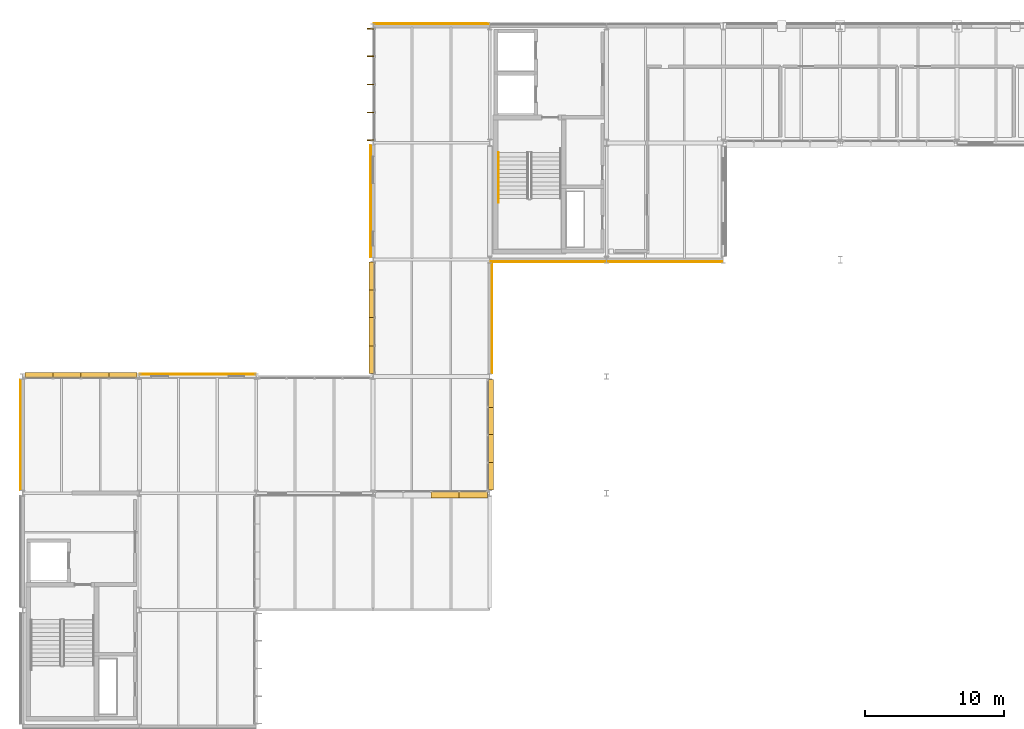
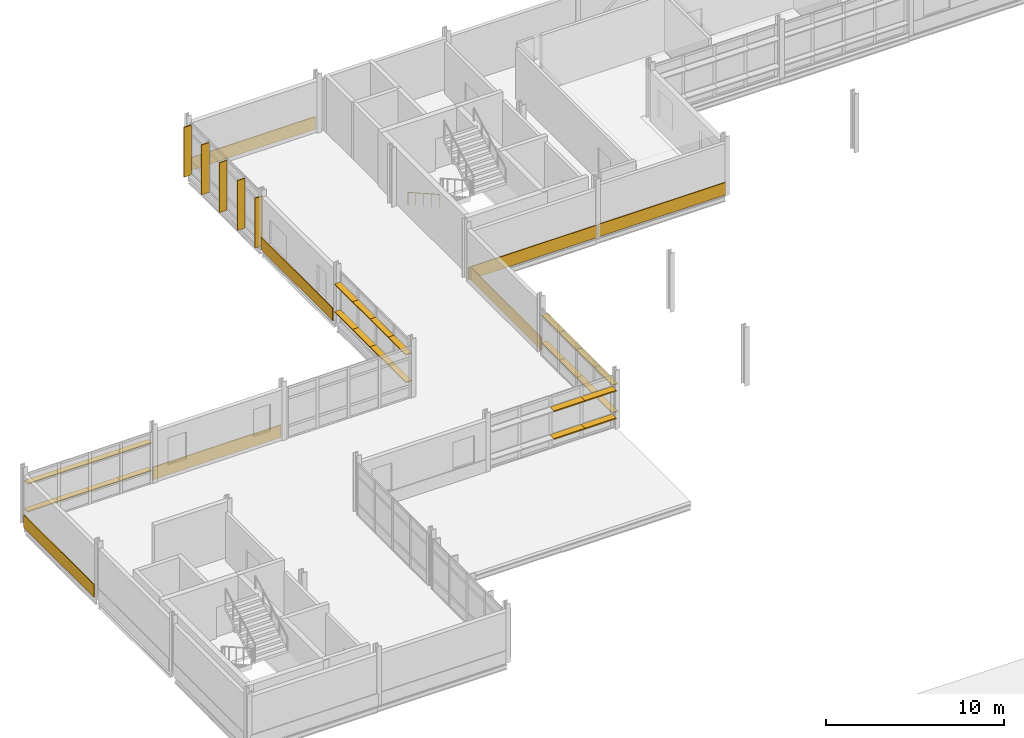
# One storey, part 140 of 151: 33 shading devices, 7 coverings, 1 railing.
"""IFC4 building model written with IfcOpenShell, lengths in metres."""

from ifc_helpers import new_model, si_unit, direction, frame, origin, origin_2d, place, context, subcontext, project, spatial, rectangle, circle, extrude, material, layer, layer_set, type_object, element, save


model = new_model("IFC4")

# Units and contexts
model_context = context("Model", 3, precision=1e-05, world=origin(), true_north=direction((0.0, 1.0)))
body_context = subcontext(model_context, "Body", "Model", "MODEL_VIEW")
ifc_project = project(units=[si_unit("LENGTHUNIT", "METRE"), si_unit("AREAUNIT", "SQUARE_METRE"), si_unit("VOLUMEUNIT", "CUBIC_METRE"), si_unit("PLANEANGLEUNIT", "RADIAN"), si_unit("MASSUNIT", "GRAM", prefix="KILO")], contexts=[model_context])

# Site, building, storey
site_placement = place(None, origin())
site = spatial("IfcSite", under=ifc_project, at=site_placement, CompositionType="ELEMENT")
building_placement = place(site_placement, origin())
building = spatial("IfcBuilding", under=site, at=building_placement, Name="Mersafa Astral City Hall", CompositionType="ELEMENT")
storey_placement = place(building_placement, frame((0.0, 0.0, 9.89990234375)))
storey = spatial("IfcBuildingStorey", under=building, at=storey_placement, Name="L02", CompositionType="ELEMENT", Elevation=9.89990234375)

# Coverings
ifc_material_1 = material(Name="Cairo Mokattam buff limestone cladding", Category="masonry")
ifc_layer = layer(ifc_material_1, 0.06005859375, Name="Cairo Mokattam buff limestone cladding")
ifc_layer_set = layer_set([ifc_layer], Name="Cairo Mokattam buff limestone cladding — ENV-COV-LIMESTONE-60")
covering_type = type_object("IfcCoveringType", Name="ENV-COV-LIMESTONE-60", PredefinedType="CLADDING", material=ifc_layer_set)
covering_1_placement = place(storey_placement, frame((37.800048828125, 126.177001953125, 0.0), z_axis=(0.0, 0.0, 1.0), x_axis=(-1.0, 0.0, 0.0)))
element("IfcCovering", 1, at=covering_1_placement, inside=storey, type_object=covering_type, Name="L02 Cairo buff limestone rainscreen cladding 191", PredefinedType="CLADDING", context=body_context, shape_type="SweptSolid", body=[
    extrude(rectangle(XDim=8.323974609375, YDim=0.06005859375, at=origin_2d()), origin(), (0.0, 0.0, 1.0), 0.860107421875),
])
covering_2_placement = place(storey_placement, frame((33.430419921875, 113.39990234375, 0.0), z_axis=(0.0, 0.0, 1.0), x_axis=(0.0, -1.0, 0.0)))
element("IfcCovering", 2, at=covering_2_placement, inside=storey, type_object=covering_type, Name="L02 Cairo buff limestone rainscreen cladding 192", PredefinedType="CLADDING", context=body_context, shape_type="SweptSolid", body=[
    extrude(rectangle(XDim=8.048095703125, YDim=0.06005859375, at=origin_2d()), origin(), (0.0, 0.0, 1.0), 0.860107421875),
])
covering_3_placement = place(storey_placement, frame((21.0, 100.9619140625, 0.0), z_axis=(0.0, 0.0, 1.0), x_axis=(-1.0, 0.0, 0.0)))
element("IfcCovering", 3, at=covering_3_placement, inside=storey, type_object=covering_type, Name="L02 Cairo buff limestone rainscreen cladding 193", PredefinedType="CLADDING", context=body_context, shape_type="SweptSolid", body=[
    extrude(rectangle(XDim=8.323974609375, YDim=0.06005859375, at=origin_2d()), origin(), (0.0, 0.0, 1.0), 0.860107421875),
])
covering_4_placement = place(storey_placement, frame((8.24560546875, 96.60009765625, 0.0), z_axis=(0.0, 0.0, 1.0), x_axis=(0.0, -1.0, 0.0)))
element("IfcCovering", 4, at=covering_4_placement, inside=storey, type_object=covering_type, Name="L02 Cairo buff limestone rainscreen cladding 194", PredefinedType="CLADDING", context=body_context, shape_type="SweptSolid", body=[
    extrude(rectangle(XDim=7.947998046875, YDim=0.06005859375, at=origin_2d()), origin(), (0.0, 0.0, 1.0), 0.860107421875),
])
covering_5_placement = place(storey_placement, frame((42.154541015625, 104.97509765625, 0.0), z_axis=(0.0, 0.0, 1.0), x_axis=(0.0, 1.0, 0.0)))
element("IfcCovering", 5, at=covering_5_placement, inside=storey, type_object=covering_type, Name="L02 Cairo buff limestone rainscreen cladding 200", PredefinedType="CLADDING", context=body_context, shape_type="SweptSolid", body=[
    extrude(rectangle(XDim=7.89794921875, YDim=0.06005859375, at=origin_2d()), origin(), (0.0, 0.0, 1.0), 0.860107421875),
])
for number, where, z_axis, x_axis, name in (
    (6, (46.199951171875, 109.052978515625, 0.0), (0.0, 0.0, 1.0), (1.0, 0.0, 0.0), "L02 Cairo buff limestone rainscreen cladding 201"),
    (7, (54.60009765625, 109.060546875, 0.0), (0.0, 0.0, 1.0), (1.0, 0.0, 0.0), "L02 Cairo buff limestone rainscreen cladding 202"),
):
    element("IfcCovering", number, at=place(storey_placement, frame(where, z_axis=z_axis, x_axis=x_axis)), inside=storey, type_object=covering_type, Name=name, PredefinedType="CLADDING", context=body_context, shape_type="SweptSolid", body=[
        extrude(rectangle(XDim=8.323974609375, YDim=0.06005859375, at=origin_2d()), origin(), (0.0, 0.0, 1.0), 0.860107421875),
    ])

# Shading devices
ifc_material_2 = material(Name="Anodised bronze aluminium solar fin", Category="aluminium")
shading_device_type_1 = type_object("IfcShadingDeviceType", Name="ENV-SHD-FIN-500A", PredefinedType="USERDEFINED", material=ifc_material_2)
for number, where, z_axis, x_axis, name in (
    (8, (33.455078125, 125.80810546875, -0.01513671875), (0.0, 0.0, 1.0), (0.0, -1.0, 0.0), "L02 Vertical bronze solar fin 826"),
    (9, (33.455078125, 123.819091796875, -0.01513671875), (0.0, 0.0, 1.0), (0.0, -1.0, 0.0), "L02 Vertical bronze solar fin 827"),
    (10, (33.455078125, 121.800048828125, -0.01513671875), (0.0, 0.0, 1.0), (0.0, -1.0, 0.0), "L02 Vertical bronze solar fin 828"),
    (11, (33.455078125, 119.781005859375, -0.01513671875), (0.0, 0.0, 1.0), (0.0, -1.0, 0.0), "L02 Vertical bronze solar fin 829"),
    (12, (33.455078125, 117.7919921875, -0.01513671875), (0.0, 0.0, 1.0), (0.0, -1.0, 0.0), "L02 Vertical bronze solar fin 830"),
):
    element("IfcShadingDevice", number, at=place(storey_placement, frame(where, z_axis=z_axis, x_axis=x_axis)), inside=storey, type_object=shading_device_type_1, Name=name, ObjectType="FIN", PredefinedType="USERDEFINED", context=body_context, shape_type="SweptSolid", body=[
        extrude(rectangle(XDim=0.06005859375, YDim=0.5, at=origin_2d()), origin(), (0.0, 0.0, 1.0), 3.422119140625),
    ])
ifc_material_3 = material(Name="Kiln-dried cedar timber brise-soleil blade", Category="wood")
shading_device_type_2 = type_object("IfcShadingDeviceType", Name="ENV-SHD-LOUVRE-380", PredefinedType="JALOUSIE", material=ifc_material_3)
shading_device_1_placement = place(storey_placement, frame((33.52001953125, 108.019775390625, 0.81494140625), z_axis=(0.0, 0.0, 1.0), x_axis=(0.0, -1.0, 0.0)))
element("IfcShadingDevice", 13, at=shading_device_1_placement, inside=storey, type_object=shading_device_type_2, Name="L02 Horizontal cedar brise-soleil louvre 831", PredefinedType="JALOUSIE", context=body_context, shape_type="SweptSolid", body=[
    extrude(rectangle(XDim=2.0166015625, YDim=0.3798828125, at=origin_2d()), origin(), (0.0, 0.0, 1.0), 0.070068359375),
])
for number, where, z_axis, x_axis, name in (
    (14, (33.52001953125, 106.0283203125, 0.81494140625), (0.0, 0.0, 1.0), (0.0, -1.0, 0.0), "L02 Horizontal cedar brise-soleil louvre 832"),
    (15, (33.52001953125, 104.021728515625, 0.81494140625), (0.0, 0.0, 1.0), (0.0, -1.0, 0.0), "L02 Horizontal cedar brise-soleil louvre 833"),
):
    element("IfcShadingDevice", number, at=place(storey_placement, frame(where, z_axis=z_axis, x_axis=x_axis)), inside=storey, type_object=shading_device_type_2, Name=name, PredefinedType="JALOUSIE", context=body_context, shape_type="SweptSolid", body=[
        extrude(rectangle(XDim=2.04638671875, YDim=0.3798828125, at=origin_2d()), origin(), (0.0, 0.0, 1.0), 0.070068359375),
    ])
for number, where, z_axis, x_axis, name in (
    (16, (33.52001953125, 102.0302734375, 0.81494140625), (0.0, 0.0, 1.0), (0.0, -1.0, 0.0), "L02 Horizontal cedar brise-soleil louvre 834"),
    (17, (33.52001953125, 108.019775390625, 2.71484375), (0.0, 0.0, 1.0), (0.0, -1.0, 0.0), "L02 Horizontal cedar brise-soleil louvre 835"),
):
    element("IfcShadingDevice", number, at=place(storey_placement, frame(where, z_axis=z_axis, x_axis=x_axis)), inside=storey, type_object=shading_device_type_2, Name=name, PredefinedType="JALOUSIE", context=body_context, shape_type="SweptSolid", body=[
        extrude(rectangle(XDim=2.0166015625, YDim=0.3798828125, at=origin_2d()), origin(), (0.0, 0.0, 1.0), 0.070068359375),
    ])
for number, where, z_axis, x_axis, name in (
    (18, (33.52001953125, 106.0283203125, 2.71484375), (0.0, 0.0, 1.0), (0.0, -1.0, 0.0), "L02 Horizontal cedar brise-soleil louvre 836"),
    (19, (33.52001953125, 104.021728515625, 2.71484375), (0.0, 0.0, 1.0), (0.0, -1.0, 0.0), "L02 Horizontal cedar brise-soleil louvre 837"),
):
    element("IfcShadingDevice", number, at=place(storey_placement, frame(where, z_axis=z_axis, x_axis=x_axis)), inside=storey, type_object=shading_device_type_2, Name=name, PredefinedType="JALOUSIE", context=body_context, shape_type="SweptSolid", body=[
        extrude(rectangle(XDim=2.04638671875, YDim=0.3798828125, at=origin_2d()), origin(), (0.0, 0.0, 1.0), 0.070068359375),
    ])
shading_device_2_placement = place(storey_placement, frame((33.52001953125, 102.0302734375, 2.71484375), z_axis=(0.0, 0.0, 1.0), x_axis=(0.0, -1.0, 0.0)))
element("IfcShadingDevice", 20, at=shading_device_2_placement, inside=storey, type_object=shading_device_type_2, Name="L02 Horizontal cedar brise-soleil louvre 838", PredefinedType="JALOUSIE", context=body_context, shape_type="SweptSolid", body=[
    extrude(rectangle(XDim=2.0166015625, YDim=0.3798828125, at=origin_2d()), origin(), (0.0, 0.0, 1.0), 0.070068359375),
])
shading_device_3_placement = place(storey_placement, frame((15.613525390625, 100.8798828125, 0.81494140625), z_axis=(0.0, 0.0, 1.0), x_axis=(-1.0, 0.0, 0.0)))
element("IfcShadingDevice", 21, at=shading_device_3_placement, inside=storey, type_object=shading_device_type_2, Name="L02 Horizontal cedar brise-soleil louvre 839", PredefinedType="JALOUSIE", context=body_context, shape_type="SweptSolid", body=[
    extrude(rectangle(XDim=2.029052734375, YDim=0.3798828125, at=origin_2d()), origin(), (0.0, 0.0, 1.0), 0.070068359375),
])
for number, where, z_axis, x_axis, name in (
    (22, (13.609619140625, 100.8798828125, 0.81494140625), (0.0, 0.0, 1.0), (-1.0, 0.0, 0.0), "L02 Horizontal cedar brise-soleil louvre 840"),
    (23, (11.590576171875, 100.8798828125, 0.81494140625), (0.0, 0.0, 1.0), (-1.0, 0.0, 0.0), "L02 Horizontal cedar brise-soleil louvre 841"),
):
    element("IfcShadingDevice", number, at=place(storey_placement, frame(where, z_axis=z_axis, x_axis=x_axis)), inside=storey, type_object=shading_device_type_2, Name=name, PredefinedType="JALOUSIE", context=body_context, shape_type="SweptSolid", body=[
        extrude(rectangle(XDim=2.05908203125, YDim=0.3798828125, at=origin_2d()), origin(), (0.0, 0.0, 1.0), 0.070068359375),
    ])
for number, where, z_axis, x_axis, name in (
    (24, (9.58642578125, 100.8798828125, 0.81494140625), (0.0, 0.0, 1.0), (-1.0, 0.0, 0.0), "L02 Horizontal cedar brise-soleil louvre 842"),
    (25, (15.613525390625, 100.8798828125, 2.71484375), (0.0, 0.0, 1.0), (-1.0, 0.0, 0.0), "L02 Horizontal cedar brise-soleil louvre 843"),
):
    element("IfcShadingDevice", number, at=place(storey_placement, frame(where, z_axis=z_axis, x_axis=x_axis)), inside=storey, type_object=shading_device_type_2, Name=name, PredefinedType="JALOUSIE", context=body_context, shape_type="SweptSolid", body=[
        extrude(rectangle(XDim=2.029052734375, YDim=0.3798828125, at=origin_2d()), origin(), (0.0, 0.0, 1.0), 0.070068359375),
    ])
for number, where, z_axis, x_axis, name in (
    (26, (13.609619140625, 100.8798828125, 2.71484375), (0.0, 0.0, 1.0), (-1.0, 0.0, 0.0), "L02 Horizontal cedar brise-soleil louvre 844"),
    (27, (11.590576171875, 100.8798828125, 2.71484375), (0.0, 0.0, 1.0), (-1.0, 0.0, 0.0), "L02 Horizontal cedar brise-soleil louvre 845"),
):
    element("IfcShadingDevice", number, at=place(storey_placement, frame(where, z_axis=z_axis, x_axis=x_axis)), inside=storey, type_object=shading_device_type_2, Name=name, PredefinedType="JALOUSIE", context=body_context, shape_type="SweptSolid", body=[
        extrude(rectangle(XDim=2.05908203125, YDim=0.3798828125, at=origin_2d()), origin(), (0.0, 0.0, 1.0), 0.070068359375),
    ])
shading_device_4_placement = place(storey_placement, frame((9.58642578125, 100.8798828125, 2.71484375), z_axis=(0.0, 0.0, 1.0), x_axis=(-1.0, 0.0, 0.0)))
element("IfcShadingDevice", 28, at=shading_device_4_placement, inside=storey, type_object=shading_device_type_2, Name="L02 Horizontal cedar brise-soleil louvre 846", PredefinedType="JALOUSIE", context=body_context, shape_type="SweptSolid", body=[
    extrude(rectangle(XDim=2.029052734375, YDim=0.3798828125, at=origin_2d()), origin(), (0.0, 0.0, 1.0), 0.070068359375),
])
shading_device_5_placement = place(storey_placement, frame((42.080078125, 93.6240234375, 0.81494140625), z_axis=(0.0, 0.0, 1.0), x_axis=(0.0, 1.0, 0.0)))
element("IfcShadingDevice", 29, at=shading_device_5_placement, inside=storey, type_object=shading_device_type_2, Name="L02 Horizontal cedar brise-soleil louvre 868", PredefinedType="JALOUSIE", context=body_context, shape_type="SweptSolid", body=[
    extrude(rectangle(XDim=2.00390625, YDim=0.3798828125, at=origin_2d()), origin(), (0.0, 0.0, 1.0), 0.070068359375),
])
for number, where, z_axis, x_axis, name in (
    (30, (42.080078125, 95.60302734375, 0.81494140625), (0.0, 0.0, 1.0), (0.0, 1.0, 0.0), "L02 Horizontal cedar brise-soleil louvre 869"),
    (31, (42.080078125, 97.596923828125, 0.81494140625), (0.0, 0.0, 1.0), (0.0, 1.0, 0.0), "L02 Horizontal cedar brise-soleil louvre 870"),
):
    element("IfcShadingDevice", number, at=place(storey_placement, frame(where, z_axis=z_axis, x_axis=x_axis)), inside=storey, type_object=shading_device_type_2, Name=name, PredefinedType="JALOUSIE", context=body_context, shape_type="SweptSolid", body=[
        extrude(rectangle(XDim=2.033935546875, YDim=0.3798828125, at=origin_2d()), origin(), (0.0, 0.0, 1.0), 0.070068359375),
    ])
for number, where, z_axis, x_axis, name in (
    (32, (42.080078125, 99.575927734375, 0.81494140625), (0.0, 0.0, 1.0), (0.0, 1.0, 0.0), "L02 Horizontal cedar brise-soleil louvre 871"),
    (33, (42.080078125, 93.6240234375, 2.71484375), (0.0, 0.0, 1.0), (0.0, 1.0, 0.0), "L02 Horizontal cedar brise-soleil louvre 872"),
):
    element("IfcShadingDevice", number, at=place(storey_placement, frame(where, z_axis=z_axis, x_axis=x_axis)), inside=storey, type_object=shading_device_type_2, Name=name, PredefinedType="JALOUSIE", context=body_context, shape_type="SweptSolid", body=[
        extrude(rectangle(XDim=2.00390625, YDim=0.3798828125, at=origin_2d()), origin(), (0.0, 0.0, 1.0), 0.070068359375),
    ])
for number, where, z_axis, x_axis, name in (
    (34, (42.080078125, 95.60302734375, 2.71484375), (0.0, 0.0, 1.0), (0.0, 1.0, 0.0), "L02 Horizontal cedar brise-soleil louvre 873"),
    (35, (42.080078125, 97.596923828125, 2.71484375), (0.0, 0.0, 1.0), (0.0, 1.0, 0.0), "L02 Horizontal cedar brise-soleil louvre 874"),
):
    element("IfcShadingDevice", number, at=place(storey_placement, frame(where, z_axis=z_axis, x_axis=x_axis)), inside=storey, type_object=shading_device_type_2, Name=name, PredefinedType="JALOUSIE", context=body_context, shape_type="SweptSolid", body=[
        extrude(rectangle(XDim=2.033935546875, YDim=0.3798828125, at=origin_2d()), origin(), (0.0, 0.0, 1.0), 0.070068359375),
    ])
shading_device_6_placement = place(storey_placement, frame((42.080078125, 99.575927734375, 2.71484375), z_axis=(0.0, 0.0, 1.0), x_axis=(0.0, 1.0, 0.0)))
element("IfcShadingDevice", 36, at=shading_device_6_placement, inside=storey, type_object=shading_device_type_2, Name="L02 Horizontal cedar brise-soleil louvre 875", PredefinedType="JALOUSIE", context=body_context, shape_type="SweptSolid", body=[
    extrude(rectangle(XDim=2.00390625, YDim=0.3798828125, at=origin_2d()), origin(), (0.0, 0.0, 1.0), 0.070068359375),
])
shading_device_type_3 = type_object("IfcShadingDeviceType", Name="ENV-SHD-LOUVRE-450", PredefinedType="JALOUSIE", material=ifc_material_3)
shading_device_7_placement = place(storey_placement, frame((38.8095703125, 92.284912109375, 0.81005859375), z_axis=(0.0, 0.0, 1.0), x_axis=(1.0, 0.0, 0.0)))
element("IfcShadingDevice", 37, at=shading_device_7_placement, inside=storey, type_object=shading_device_type_3, Name="L02 Horizontal cedar brise-soleil louvre 862", PredefinedType="JALOUSIE", context=body_context, shape_type="SweptSolid", body=[
    extrude(rectangle(XDim=2.05908203125, YDim=0.449951171875, at=origin_2d()), origin(), (0.0, 0.0, 1.0), 0.080078125),
])
shading_device_8_placement = place(storey_placement, frame((40.8134765625, 92.284912109375, 0.81005859375), z_axis=(0.0, 0.0, 1.0), x_axis=(1.0, 0.0, 0.0)))
element("IfcShadingDevice", 38, at=shading_device_8_placement, inside=storey, type_object=shading_device_type_3, Name="L02 Horizontal cedar brise-soleil louvre 863", PredefinedType="JALOUSIE", context=body_context, shape_type="SweptSolid", body=[
    extrude(rectangle(XDim=2.029052734375, YDim=0.449951171875, at=origin_2d()), origin(), (0.0, 0.0, 1.0), 0.080078125),
])
shading_device_9_placement = place(storey_placement, frame((38.8095703125, 92.284912109375, 2.7099609375), z_axis=(0.0, 0.0, 1.0), x_axis=(1.0, 0.0, 0.0)))
element("IfcShadingDevice", 39, at=shading_device_9_placement, inside=storey, type_object=shading_device_type_3, Name="L02 Horizontal cedar brise-soleil louvre 866", PredefinedType="JALOUSIE", context=body_context, shape_type="SweptSolid", body=[
    extrude(rectangle(XDim=2.05908203125, YDim=0.449951171875, at=origin_2d()), origin(), (0.0, 0.0, 1.0), 0.080078125),
])
shading_device_10_placement = place(storey_placement, frame((40.8134765625, 92.284912109375, 2.7099609375), z_axis=(0.0, 0.0, 1.0), x_axis=(1.0, 0.0, 0.0)))
element("IfcShadingDevice", 40, at=shading_device_10_placement, inside=storey, type_object=shading_device_type_3, Name="L02 Horizontal cedar brise-soleil louvre 867", PredefinedType="JALOUSIE", context=body_context, shape_type="SweptSolid", body=[
    extrude(rectangle(XDim=2.029052734375, YDim=0.449951171875, at=origin_2d()), origin(), (0.0, 0.0, 1.0), 0.080078125),
])

# Railing
ifc_material_4 = material(Name="Brushed stainless steel tubular handrail", Category="steel")
railing_type = type_object("IfcRailingType", Name="HANDRAIL", PredefinedType="HANDRAIL", material=ifc_material_4)
railing_placement = place(storey_placement, frame((42.6298828125, 116.89990234375, 0.1689453125)))
element("IfcRailing", 41, at=railing_placement, inside=storey, type_object=railing_type, Name="L02 ST3 stair handrail 1", PredefinedType="HANDRAIL", context=body_context, shape_type="SweptSolid", body=[
    extrude(circle(Radius=0.02392578125, at=origin_2d()), frame((0.0, 0.0, 0.8759765625), z_axis=(0.0, -0.871273963605, 0.490796984856), x_axis=(1.0, 0.0, 0.0)), (0.0, 0.0, 1.0), 4.131591796875),
    extrude(circle(Radius=0.02099609375, at=origin_2d()), origin(), (0.0, 0.0, 1.0), 0.851806640625),
    extrude(circle(Radius=0.02099609375, at=origin_2d()), frame((0.0, -0.89990234375, 0.5068359375)), (0.0, 0.0, 1.0), 0.851806640625),
    extrude(circle(Radius=0.02099609375, at=origin_2d()), frame((0.0, -1.7998046875, 1.013916015625)), (0.0, 0.0, 1.0), 0.851806640625),
    extrude(circle(Radius=0.02099609375, at=origin_2d()), frame((0.0, -2.699951171875, 1.52099609375)), (0.0, 0.0, 1.0), 0.851806640625),
    extrude(circle(Radius=0.02099609375, at=origin_2d()), frame((0.0, -3.599853515625, 2.02783203125)), (0.0, 0.0, 1.0), 0.851806640625),
])

save(model, "model.ifc")
